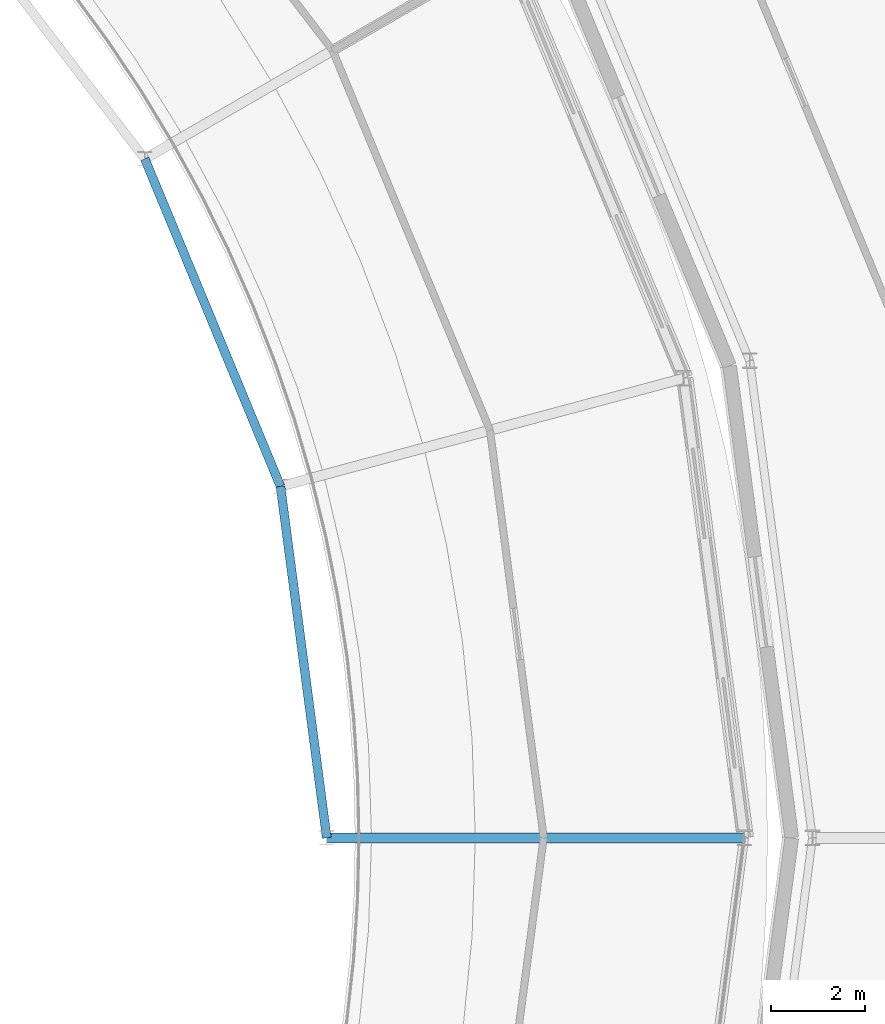
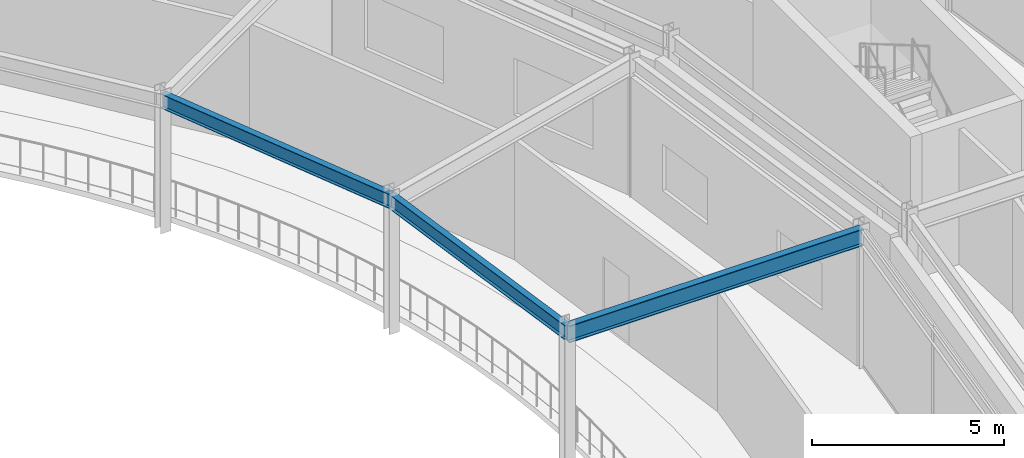
# One storey, part 41 of 133: 3 beams.
"""IFC4 building model written with IfcOpenShell, lengths in metres."""

from ifc_helpers import new_model, si_unit, direction, frame, origin, origin_2d, place, context, subcontext, project, spatial, i_section, extrude, material, material_profile, profile_set, type_object, element, save


model = new_model("IFC4")

# Units and contexts
model_context = context("Model", 3, precision=1e-05, world=origin(), true_north=direction((0.0, 1.0)))
body_context = subcontext(model_context, "Body", "Model", "MODEL_VIEW")
ifc_project = project(units=[si_unit("LENGTHUNIT", "METRE"), si_unit("AREAUNIT", "SQUARE_METRE"), si_unit("VOLUMEUNIT", "CUBIC_METRE"), si_unit("PLANEANGLEUNIT", "RADIAN"), si_unit("MASSUNIT", "GRAM", prefix="KILO")], contexts=[model_context])

# Site, building, storey
site_placement = place(None, origin())
site = spatial("IfcSite", under=ifc_project, at=site_placement, CompositionType="ELEMENT")
building_placement = place(site_placement, origin())
building = spatial("IfcBuilding", under=site, at=building_placement, Name="Almandine Court Research Institute", CompositionType="ELEMENT")
storey_placement = place(building_placement, frame((0.0, 0.0, 9.800048828125)))
storey = spatial("IfcBuildingStorey", under=building, at=storey_placement, Name="L02", CompositionType="ELEMENT", Elevation=9.800048828125)

# Beams
ifc_material = material(Name="Steel ASTM A992 Grade 50", Category="steel")
ifc_material_profile_1 = material_profile(ifc_material, i_section(OverallWidth=0.18994140625, OverallDepth=0.45703125, WebThickness=0.009033203125, FlangeThickness=0.014892578125, at=origin_2d()), Name="W460x74")
ifc_profile_set_1 = profile_set([ifc_material_profile_1], Name="Steel ASTM A992 Grade 50")
beam_type_1 = type_object("IfcBeamType", Name="Beam-B-01", PredefinedType="BEAM", material=ifc_profile_set_1)
beam_1_placement = place(storey_placement, frame((115.800048828125, 56.0, 4.140869140625), z_axis=(-0.130474672489, 0.991451642713, 0.0), x_axis=(-0.991451642713, -0.130474672489, 0.0)))
element("IfcBeam", 1, at=beam_1_placement, inside=storey, type_object=beam_type_1, Name="L02 Atrium Gallery Edge Beam", PredefinedType="BEAM", context=body_context, shape_type="SweptSolid", body=[
    extrude(i_section(OverallWidth=0.18994140625, OverallDepth=0.45703125, WebThickness=0.009033203125, FlangeThickness=0.014892578125, at=origin_2d()), origin(), (0.0, 0.0, 1.0), 7.518310546875),
])
beam_2_placement = place(storey_placement, frame((114.819091796875, 63.4541015625, 4.140869140625), z_axis=(-0.382700732442, 0.923872366395, 0.0), x_axis=(-0.923872366395, -0.382700732442, 0.0)))
element("IfcBeam", 2, at=beam_2_placement, inside=storey, type_object=beam_type_1, Name="L02 Atrium Gallery Edge Beam", PredefinedType="BEAM", context=body_context, shape_type="SweptSolid", body=[
    extrude(i_section(OverallWidth=0.18994140625, OverallDepth=0.45703125, WebThickness=0.009033203125, FlangeThickness=0.014892578125, at=origin_2d()), origin(), (0.0, 0.0, 1.0), 7.51806640625),
])
ifc_material_profile_2 = material_profile(ifc_material, i_section(OverallWidth=0.2109375, OverallDepth=0.5390625, WebThickness=0.011962890625, FlangeThickness=0.01904296875, at=origin_2d()), Name="W530x109")
ifc_profile_set_2 = profile_set([ifc_material_profile_2], Name="Steel ASTM A992 Grade 50")
beam_type_2 = type_object("IfcBeamType", Name="Beam-G-04", PredefinedType="BEAM", material=ifc_profile_set_2)
beam_3_placement = place(storey_placement, frame((115.800048828125, 56.0, 4.099853515625), z_axis=(1.0, 0.0, 0.0), x_axis=(0.0, 1.0, 0.0)))
element("IfcBeam", 3, at=beam_3_placement, inside=storey, type_object=beam_type_2, Name="L02 Atrium Gallery Radial Girder", PredefinedType="BEAM", context=body_context, shape_type="SweptSolid", body=[
    extrude(i_section(OverallWidth=0.2109375, OverallDepth=0.5390625, WebThickness=0.011962890625, FlangeThickness=0.01904296875, at=origin_2d()), origin(), (0.0, 0.0, 1.0), 8.849853515625),
])

save(model, "model.ifc")
